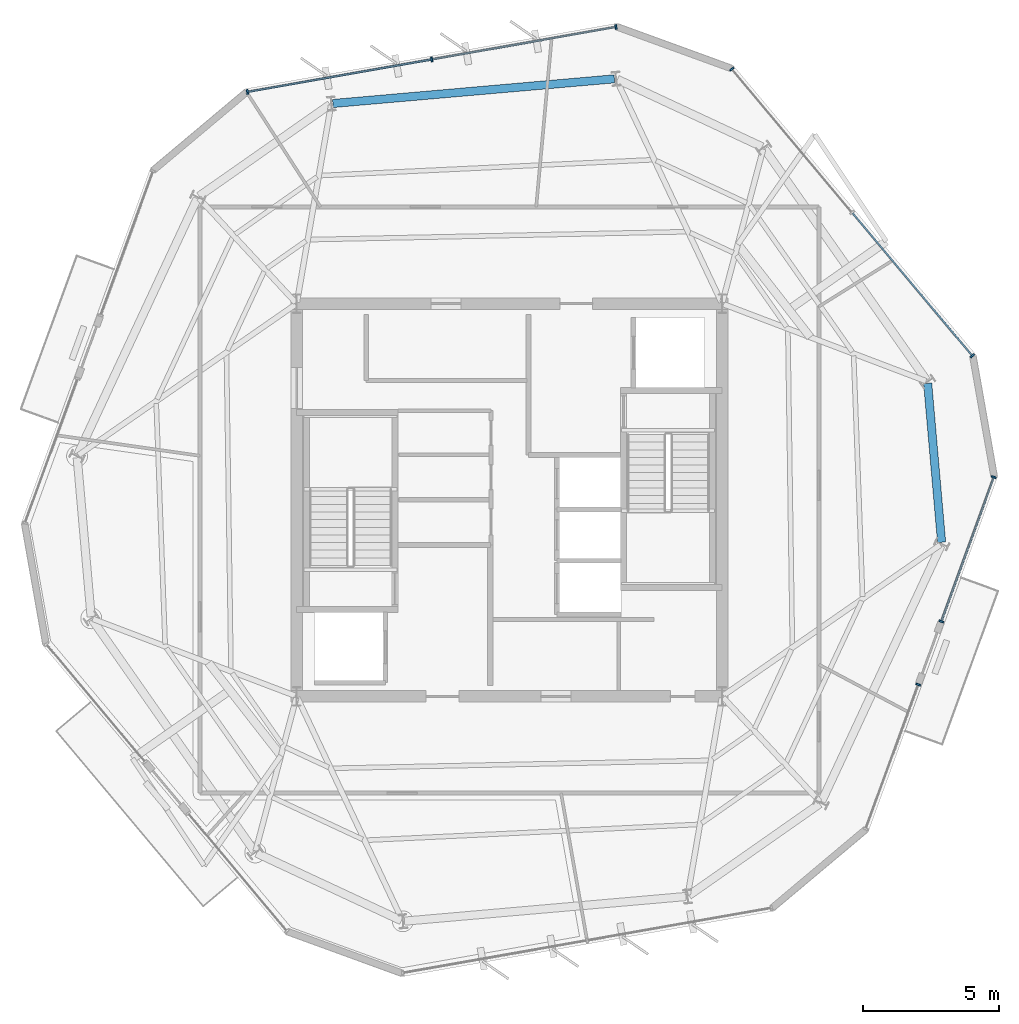
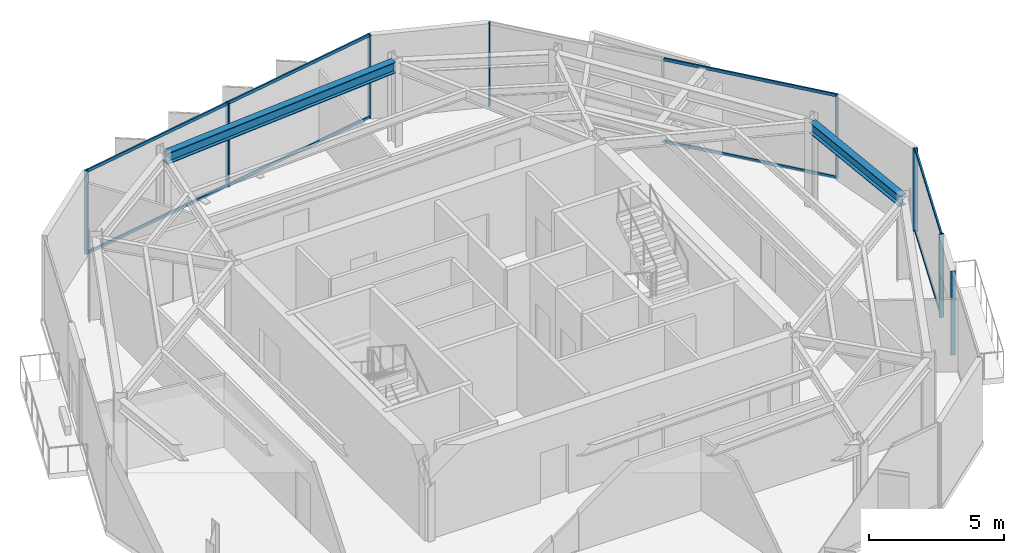
# One storey, part 5 of 11: 16 members, 2 beams, 4 elements without a shape of their own.
"""IFC4 building model written with IfcOpenShell, lengths in metres."""

from ifc_helpers import new_model, si_unit, direction, frame, origin, origin_2d, place, context, subcontext, project, spatial, rectangle, i_section, extrude, material, layer, layer_set, material_profile, profile_set, type_object, element, aggregate, save


model = new_model("IFC4")

# Units and contexts
model_context = context("Model", 3, precision=1e-05, world=origin(), true_north=direction((0.0, 1.0)))
body_context = subcontext(model_context, "Body", "Model", "MODEL_VIEW")
ifc_project = project(units=[si_unit("LENGTHUNIT", "METRE"), si_unit("AREAUNIT", "SQUARE_METRE"), si_unit("VOLUMEUNIT", "CUBIC_METRE"), si_unit("PLANEANGLEUNIT", "RADIAN"), si_unit("MASSUNIT", "GRAM", prefix="KILO")], contexts=[model_context])

# Site, building, storey
site_placement = place(None, origin())
site = spatial("IfcSite", under=ifc_project, at=site_placement, CompositionType="ELEMENT")
building_placement = place(site_placement, origin())
building = spatial("IfcBuilding", under=site, at=building_placement, Name="Kranzbogen Civic Tower", CompositionType="ELEMENT")
storey_placement = place(building_placement, frame((0.0, 0.0, 306.199951171875)))
storey = spatial("IfcBuildingStorey", under=building, at=storey_placement, Name="L74", CompositionType="ELEMENT", Elevation=306.199951171875)

# Curtain wall, members
ifc_material_1 = material(Name="Pale Anodised Aluminium", Category="aluminium")
ifc_layer = layer(ifc_material_1, 0.219970703125, Name="Pale Anodised Aluminium")
ifc_layer_set = layer_set([ifc_layer], Name="Pale Anodised Aluminium")
curtain_wall_type = type_object("IfcCurtainWallType", Name="Zone 4 Stick Curtain Wall System CW-05", PredefinedType="USERDEFINED", material=ifc_layer_set)
curtain_wall_1_placement = place(storey_placement, origin())
curtain_wall_1 = element("IfcCurtainWall", 1, at=curtain_wall_1_placement, inside=storey, type_object=curtain_wall_type, Name="L74 curtain wall CW-L74-F1", ObjectType="STICK CURTAIN WALL", PredefinedType="USERDEFINED")
ifc_material_profile_1 = material_profile(ifc_material_1, rectangle(XDim=0.06494140625, YDim=0.179931640625, at=origin_2d()), Name="ALU-M 65x180")
ifc_profile_set_1 = profile_set([ifc_material_profile_1], Name="Pale Anodised Aluminium")
member_type_1 = type_object("IfcMemberType", Name="Curtain Wall Mullion ALU-M 65x180", PredefinedType="MULLION", material=ifc_profile_set_1)
member_1_placement = place(storey_placement, frame((28.910400390625, 42.3466796875, 0.0), z_axis=(0.0, 0.0, 1.0), x_axis=(-0.984807646548, -0.173648781452, 0.0)))
member_1 = element("IfcMember", 2, at=member_1_placement, type_object=member_type_1, Name="CW-05 mullion 1", PredefinedType="MULLION", context=body_context, shape_type="SweptSolid", body=[
    extrude(rectangle(XDim=0.06494140625, YDim=0.179931640625, at=origin_2d()), origin(), (0.0, 0.0, 1.0), 3.780029296875),
])
member_2_placement = place(storey_placement, frame((22.151611328125, 41.155029296875, 0.0), z_axis=(0.0, 0.0, 1.0), x_axis=(-0.984807646548, -0.173648781452, 0.0)))
member_2 = element("IfcMember", 3, at=member_2_placement, type_object=member_type_1, Name="CW-05 mullion 2", PredefinedType="MULLION", context=body_context, shape_type="SweptSolid", body=[
    extrude(rectangle(XDim=0.06494140625, YDim=0.179931640625, at=origin_2d()), origin(), (0.0, 0.0, 1.0), 3.780029296875),
])
member_3_placement = place(storey_placement, frame((15.392578125, 39.963134765625, 0.0), z_axis=(0.0, 0.0, 1.0), x_axis=(-0.984807646548, -0.173648781452, 0.0)))
member_3 = element("IfcMember", 4, at=member_3_placement, type_object=member_type_1, Name="CW-05 mullion 3", PredefinedType="MULLION", context=body_context, shape_type="SweptSolid", body=[
    extrude(rectangle(XDim=0.06494140625, YDim=0.179931640625, at=origin_2d()), origin(), (0.0, 0.0, 1.0), 3.780029296875),
])

# Curtain wall, member
curtain_wall_2_placement = place(storey_placement, origin())
curtain_wall_2 = element("IfcCurtainWall", 5, at=curtain_wall_2_placement, inside=storey, type_object=curtain_wall_type, Name="L74 curtain wall CW-L74-F5-S1", ObjectType="STICK CURTAIN WALL", PredefinedType="USERDEFINED")
member_4_placement = place(storey_placement, frame((39.99365234375, 18.23291015625, 0.0), z_axis=(0.0, 0.0, 1.0), x_axis=(0.342039257273, 0.939685663658, 0.0)))
member_4 = element("IfcMember", 6, at=member_4_placement, type_object=member_type_1, Name="CW-05 mullion 2", PredefinedType="MULLION", context=body_context, shape_type="SweptSolid", body=[
    extrude(rectangle(XDim=0.06494140625, YDim=0.179931640625, at=origin_2d()), origin(), (0.0, 0.0, 1.0), 3.780029296875),
])
aggregate(curtain_wall_2, [member_4])

# Curtain wall, members
curtain_wall_3_placement = place(storey_placement, origin())
curtain_wall_3 = element("IfcCurtainWall", 7, at=curtain_wall_3_placement, inside=storey, type_object=curtain_wall_type, Name="L74 curtain wall CW-L74-F5-S2", ObjectType="STICK CURTAIN WALL", PredefinedType="USERDEFINED")
member_5_placement = place(storey_placement, frame((40.835205078125, 20.545166015625, 0.0), z_axis=(0.0, 0.0, 1.0), x_axis=(0.342137892225, 0.939649755337, 0.0)))
member_5 = element("IfcMember", 8, at=member_5_placement, type_object=member_type_1, Name="CW-05 mullion 1", PredefinedType="MULLION", context=body_context, shape_type="SweptSolid", body=[
    extrude(rectangle(XDim=0.06494140625, YDim=0.179931640625, at=origin_2d()), origin(), (0.0, 0.0, 1.0), 3.780029296875),
])
member_6_placement = place(storey_placement, frame((42.7626953125, 25.8388671875, 0.0), z_axis=(0.0, 0.0, 1.0), x_axis=(0.342137892225, 0.939649755337, 0.0)))
member_6 = element("IfcMember", 9, at=member_6_placement, type_object=member_type_1, Name="CW-05 mullion 2", PredefinedType="MULLION", context=body_context, shape_type="SweptSolid", body=[
    extrude(rectangle(XDim=0.06494140625, YDim=0.179931640625, at=origin_2d()), origin(), (0.0, 0.0, 1.0), 3.780029296875),
])

curtain_wall_4_placement = place(storey_placement, origin())
curtain_wall_4 = element("IfcCurtainWall", 10, at=curtain_wall_4_placement, inside=storey, type_object=curtain_wall_type, Name="L74 curtain wall CW-L74-F6", ObjectType="STICK CURTAIN WALL", PredefinedType="USERDEFINED")
member_7_placement = place(storey_placement, frame((41.977783203125, 30.286865234375, 0.0), z_axis=(0.0, 0.0, 1.0), x_axis=(-0.642756484055, 0.766070559547, 0.0)))
member_7 = element("IfcMember", 11, at=member_7_placement, type_object=member_type_1, Name="CW-05 mullion 1", PredefinedType="MULLION", context=body_context, shape_type="SweptSolid", body=[
    extrude(rectangle(XDim=0.06494140625, YDim=0.179931640625, at=origin_2d()), origin(), (0.0, 0.0, 1.0), 3.780029296875),
])
member_8_placement = place(storey_placement, frame((33.1552734375, 40.802001953125, 0.0), z_axis=(0.0, 0.0, 1.0), x_axis=(-0.642756484055, 0.766070559547, 0.0)))
member_8 = element("IfcMember", 12, at=member_8_placement, type_object=member_type_1, Name="CW-05 mullion 3", PredefinedType="MULLION", context=body_context, shape_type="SweptSolid", body=[
    extrude(rectangle(XDim=0.06494140625, YDim=0.179931640625, at=origin_2d()), origin(), (0.0, 0.0, 1.0), 3.780029296875),
])

# Member
ifc_material_profile_2 = material_profile(ifc_material_1, rectangle(XDim=0.06494140625, YDim=0.135009765625, at=origin_2d()), Name="ALU-T 65x135")
ifc_profile_set_2 = profile_set([ifc_material_profile_2], Name="Pale Anodised Aluminium")
member_type_2 = type_object("IfcMemberType", Name="Curtain Wall Transom ALU-T 65x135", PredefinedType="USERDEFINED", material=ifc_profile_set_2)
member_9_placement = place(storey_placement, frame((28.880859375, 42.341552734375, 0.030029296875), z_axis=(-0.984806310809, -0.173656356607, 0.0), x_axis=(0.173656356607, -0.984806310809, 0.0)))
member_9 = element("IfcMember", 13, at=member_9_placement, type_object=member_type_2, Name="CW-05 transom 1.1", ObjectType="TRANSOM", PredefinedType="USERDEFINED", context=body_context, shape_type="SweptSolid", body=[
    extrude(rectangle(XDim=0.06494140625, YDim=0.135009765625, at=origin_2d()), origin(), (0.0, 0.0, 1.0), 6.802978515625),
])

member_10_placement = place(storey_placement, frame((28.880859375, 42.341552734375, 3.75), z_axis=(-0.984806310809, -0.173656356607, 0.0), x_axis=(0.173656356607, -0.984806310809, 0.0)))
member_10 = element("IfcMember", 14, at=member_10_placement, type_object=member_type_2, Name="CW-05 transom 1.2", ObjectType="TRANSOM", PredefinedType="USERDEFINED", context=body_context, shape_type="SweptSolid", body=[
    extrude(rectangle(XDim=0.06494140625, YDim=0.135009765625, at=origin_2d()), origin(), (0.0, 0.0, 1.0), 6.802978515625),
])

member_11_placement = place(storey_placement, frame((22.1220703125, 41.14990234375, 0.030029296875), z_axis=(-0.984807392974, -0.173650219531, 0.0), x_axis=(0.173650219531, -0.984807392974, 0.0)))
member_11 = element("IfcMember", 15, at=member_11_placement, type_object=member_type_2, Name="CW-05 transom 2.1", ObjectType="TRANSOM", PredefinedType="USERDEFINED", context=body_context, shape_type="SweptSolid", body=[
    extrude(rectangle(XDim=0.06494140625, YDim=0.135009765625, at=origin_2d()), origin(), (0.0, 0.0, 1.0), 6.80322265625),
])

member_12_placement = place(storey_placement, frame((22.1220703125, 41.14990234375, 3.75), z_axis=(-0.984807392974, -0.173650219531, 0.0), x_axis=(0.173650219531, -0.984807392974, 0.0)))
member_12 = element("IfcMember", 16, at=member_12_placement, type_object=member_type_2, Name="CW-05 transom 2.2", ObjectType="TRANSOM", PredefinedType="USERDEFINED", context=body_context, shape_type="SweptSolid", body=[
    extrude(rectangle(XDim=0.06494140625, YDim=0.135009765625, at=origin_2d()), origin(), (0.0, 0.0, 1.0), 6.80322265625),
])

aggregate(curtain_wall_1, [member_1, member_2, member_3, member_9, member_10, member_11, member_12])

member_13_placement = place(storey_placement, frame((40.845458984375, 20.573486328125, 0.030029296875), z_axis=(0.342154533928, 0.939643695723, 0.0), x_axis=(-0.939643695723, 0.342154533928, 0.0)))
member_13 = element("IfcMember", 17, at=member_13_placement, type_object=member_type_2, Name="CW-05 transom 1.1", ObjectType="TRANSOM", PredefinedType="USERDEFINED", context=body_context, shape_type="SweptSolid", body=[
    extrude(rectangle(XDim=0.06494140625, YDim=0.135009765625, at=origin_2d()), origin(), (0.0, 0.0, 1.0), 5.573486328125),
])

member_14_placement = place(storey_placement, frame((40.845458984375, 20.573486328125, 3.75), z_axis=(0.342154533928, 0.939643695723, 0.0), x_axis=(-0.939643695723, 0.342154533928, 0.0)))
member_14 = element("IfcMember", 18, at=member_14_placement, type_object=member_type_2, Name="CW-05 transom 1.2", ObjectType="TRANSOM", PredefinedType="USERDEFINED", context=body_context, shape_type="SweptSolid", body=[
    extrude(rectangle(XDim=0.06494140625, YDim=0.135009765625, at=origin_2d()), origin(), (0.0, 0.0, 1.0), 5.573486328125),
])

aggregate(curtain_wall_3, [member_5, member_6, member_13, member_14])

member_15_placement = place(storey_placement, frame((41.95849609375, 30.31005859375, 0.030029296875), z_axis=(-0.642778749309, 0.766051877771, 0.0), x_axis=(-0.766051877771, -0.642778749309, 0.0)))
member_15 = element("IfcMember", 19, at=member_15_placement, type_object=member_type_2, Name="CW-05 transom 1.1", ObjectType="TRANSOM", PredefinedType="USERDEFINED", context=body_context, shape_type="SweptSolid", body=[
    extrude(rectangle(XDim=0.06494140625, YDim=0.135009765625, at=origin_2d()), origin(), (0.0, 0.0, 1.0), 6.802978515625),
])

member_16_placement = place(storey_placement, frame((41.95849609375, 30.31005859375, 3.75), z_axis=(-0.642778749309, 0.766051877771, 0.0), x_axis=(-0.766051877771, -0.642778749309, 0.0)))
member_16 = element("IfcMember", 20, at=member_16_placement, type_object=member_type_2, Name="CW-05 transom 1.2", ObjectType="TRANSOM", PredefinedType="USERDEFINED", context=body_context, shape_type="SweptSolid", body=[
    extrude(rectangle(XDim=0.06494140625, YDim=0.135009765625, at=origin_2d()), origin(), (0.0, 0.0, 1.0), 6.802978515625),
])

aggregate(curtain_wall_4, [member_7, member_8, member_15, member_16])

# Beams
ifc_material_2 = material(Name="Steel S355", Category="steel")
ifc_material_profile_3 = material_profile(ifc_material_2, i_section(OverallWidth=0.300048828125, OverallDepth=0.5, WebThickness=0.014404296875, FlangeThickness=0.028076171875, at=origin_2d()), Name="HEB 500")
ifc_profile_set_3 = profile_set([ifc_material_profile_3], Name="Steel S355")
beam_type = type_object("IfcBeamType", Name="Perimeter Tube Spandrel Beam HEB 500", PredefinedType="SPANDREL", material=ifc_profile_set_3)
beam_1_placement = place(storey_placement, frame((40.85009765625, 23.449951171875, 3.530029296875), z_axis=(-0.087326362434, 0.99617975608, 0.0), x_axis=(-0.99617975608, -0.087326362434, 0.0)))
element("IfcBeam", 21, at=beam_1_placement, inside=storey, type_object=beam_type, Name="L74 perimeter spandrel beam 06", PredefinedType="SPANDREL", context=body_context, shape_type="SweptSolid", body=[
    extrude(i_section(OverallWidth=0.300048828125, OverallDepth=0.5, WebThickness=0.014404296875, FlangeThickness=0.028076171875, at=origin_2d()), origin(), (0.0, 0.0, 1.0), 5.8515625),
])
beam_2_placement = place(storey_placement, frame((28.84912109375, 40.445068359375, 3.530029296875), z_axis=(-0.996186373839, -0.087250837114, 0.0), x_axis=(0.087250837114, -0.996186373839, 0.0)))
element("IfcBeam", 22, at=beam_2_placement, inside=storey, type_object=beam_type, Name="L74 perimeter spandrel beam 09", PredefinedType="SPANDREL", context=body_context, shape_type="SweptSolid", body=[
    extrude(i_section(OverallWidth=0.300048828125, OverallDepth=0.5, WebThickness=0.014404296875, FlangeThickness=0.028076171875, at=origin_2d()), origin(), (0.0, 0.0, 1.0), 10.361572265625),
])

save(model, "model.ifc")
